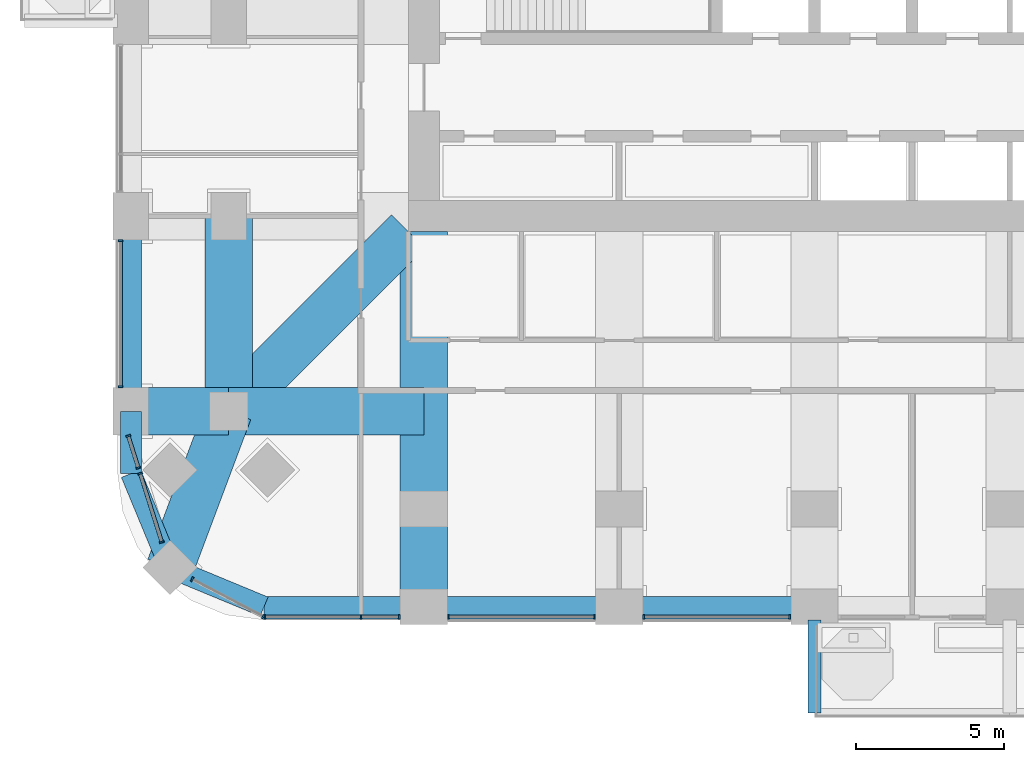
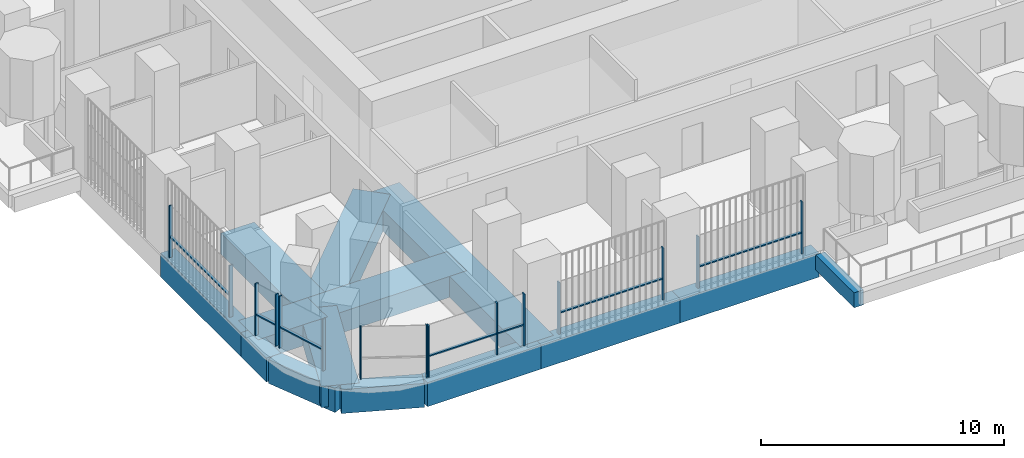
# One storey, part 2 of 22: 22 members, 14 beams, 7 elements without a shape of their own.
"""IFC4 building model written with IfcOpenShell, lengths in metres."""

from ifc_helpers import new_model, si_unit, direction, frame, origin, origin_2d, place, context, subcontext, project, spatial, rectangle, extrude, material, material_profile, profile_set, type_object, element, aggregate, save


model = new_model("IFC4")

# Units and contexts
model_context = context("Model", 3, precision=1e-05, world=origin(), true_north=direction((0.0, 1.0)))
body_context = subcontext(model_context, "Body", "Model", "MODEL_VIEW")
ifc_project = project(units=[si_unit("LENGTHUNIT", "METRE"), si_unit("AREAUNIT", "SQUARE_METRE"), si_unit("VOLUMEUNIT", "CUBIC_METRE"), si_unit("PLANEANGLEUNIT", "RADIAN"), si_unit("MASSUNIT", "GRAM", prefix="KILO")], contexts=[model_context])

# Site, building, storey
site_placement = place(None, origin())
site = spatial("IfcSite", under=ifc_project, at=site_placement, CompositionType="ELEMENT")
building_placement = place(site_placement, origin())
building = spatial("IfcBuilding", under=site, at=building_placement, Name="Cobogo Forest Laboratory Tower", CompositionType="ELEMENT")
storey_placement = place(building_placement, frame((0.0, 0.0, 136.800048828125)))
storey = spatial("IfcBuildingStorey", under=building, at=storey_placement, Name="L31", CompositionType="ELEMENT", Elevation=136.800048828125)

# Beams
ifc_material_1 = material(Name="Concrete HA-40 (C40/50)", Category="concrete")
ifc_material_profile_1 = material_profile(ifc_material_1, rectangle(XDim=0.449951171875, YDim=0.75, at=origin_2d()), Name="RC 450x750")
ifc_profile_set_1 = profile_set([ifc_material_profile_1], Name="Concrete HA-40 (C40/50)")
beam_type_1 = type_object("IfcBeamType", Name="Balcony cantilever beam 450x750", PredefinedType="BEAM", material=ifc_profile_set_1)
beam_1_placement = place(storey_placement, frame((26.39990234375, -0.449951171875, -0.625), z_axis=(0.0, -1.0, 0.0), x_axis=(1.0, 0.0, 0.0)))
element("IfcBeam", 1, at=beam_1_placement, inside=storey, type_object=beam_type_1, Name="CB1 BAL-S1-C1 L31", PredefinedType="BEAM", context=body_context, shape_type="SweptSolid", body=[
    extrude(rectangle(XDim=0.449951171875, YDim=0.75, at=origin_2d()), origin(), (0.0, 0.0, 1.0), 3.150146484375),
])
ifc_material_2 = material(Name="Concrete HA-50 (C50/60)", Category="concrete")
ifc_material_profile_2 = material_profile(ifc_material_2, rectangle(XDim=1.60009765625, YDim=1.050048828125, at=origin_2d()), Name="RC 1600x1050")
ifc_profile_set_2 = profile_set([ifc_material_profile_2], Name="Concrete HA-50 (C50/60)")
beam_type_2 = type_object("IfcBeamType", Name="Laboratory floor wide beam 1600x1050", PredefinedType="BEAM", material=ifc_profile_set_2)
beam_2_placement = place(storey_placement, frame((13.199951171875, 12.675048828125, -0.824951171875), z_axis=(0.0, -1.0, 0.0), x_axis=(1.0, 0.0, 0.0)))
element("IfcBeam", 2, at=beam_2_placement, inside=storey, type_object=beam_type_2, Name="RB8 R-3-S L31", PredefinedType="BEAM", context=body_context, shape_type="SweptSolid", body=[
    extrude(rectangle(XDim=1.60009765625, YDim=1.050048828125, at=origin_2d()), origin(), (0.0, 0.0, 1.0), 12.675048828125),
])
beam_3_placement = place(storey_placement, frame((6.60009765625, 6.60009765625, -0.824951171875), z_axis=(0.0, 1.0, 0.0), x_axis=(-1.0, 0.0, 0.0)))
element("IfcBeam", 3, at=beam_3_placement, inside=storey, type_object=beam_type_2, Name="RB8 G-SW-XC L31", PredefinedType="BEAM", context=body_context, shape_type="SweptSolid", body=[
    extrude(rectangle(XDim=1.60009765625, YDim=1.050048828125, at=origin_2d()), origin(), (0.0, 0.0, 1.0), 6.599853515625),
])
beam_4_placement = place(storey_placement, frame((3.300048828125, 6.60009765625, -0.824951171875), z_axis=(1.0, 0.0, 0.0), x_axis=(0.0, 1.0, 0.0)))
element("IfcBeam", 4, at=beam_4_placement, inside=storey, type_object=beam_type_2, Name="RB8 G-SW-YF L31", PredefinedType="BEAM", context=body_context, shape_type="SweptSolid", body=[
    extrude(rectangle(XDim=1.60009765625, YDim=1.050048828125, at=origin_2d()), origin(), (0.0, 0.0, 1.0), 3.300048828125),
])
beam_5_placement = place(storey_placement, frame((6.60009765625, 6.60009765625, -0.824951171875), z_axis=(1.0, 0.0, 0.0), x_axis=(0.0, 1.0, 0.0)))
element("IfcBeam", 5, at=beam_5_placement, inside=storey, type_object=beam_type_2, Name="RB8 G-SW-YC L31", PredefinedType="BEAM", context=body_context, shape_type="SweptSolid", body=[
    extrude(rectangle(XDim=1.60009765625, YDim=1.050048828125, at=origin_2d()), origin(), (0.0, 0.0, 1.0), 6.599853515625),
])
beam_6_placement = place(storey_placement, frame((4.617919921875, 1.318115234375, -0.824951171875), z_axis=(0.351346325373, 0.936245565889, 0.0), x_axis=(-0.936245565889, 0.351346325373, 0.0)))
element("IfcBeam", 6, at=beam_6_placement, inside=storey, type_object=beam_type_2, Name="RB8 G-SW-D1 L31", PredefinedType="BEAM", context=body_context, shape_type="SweptSolid", body=[
    extrude(rectangle(XDim=1.60009765625, YDim=1.050048828125, at=origin_2d()), origin(), (0.0, 0.0, 1.0), 5.6416015625),
])
beam_7_placement = place(storey_placement, frame((6.60009765625, 6.60009765625, -0.824951171875), z_axis=(0.707106781187, 0.707106781187, 0.0), x_axis=(-0.707106781187, 0.707106781187, 0.0)))
element("IfcBeam", 7, at=beam_7_placement, inside=storey, type_object=beam_type_2, Name="RB8 G-SW-D2 L31", PredefinedType="BEAM", context=body_context, shape_type="SweptSolid", body=[
    extrude(rectangle(XDim=1.60009765625, YDim=1.050048828125, at=origin_2d()), origin(), (0.0, 0.0, 1.0), 8.59130859375),
])

# Curtain wall, members
ifc_material_3 = material(Name="Aluminium curtain wall", Category="aluminium")
curtain_wall_type = type_object("IfcCurtainWallType", Name="CW-1 unitised curtain wall, clear glazing, laboratory floors zones A and B", PredefinedType="USERDEFINED", material=ifc_material_3)
curtain_wall_1_placement = place(storey_placement, origin())
curtain_wall_1 = element("IfcCurtainWall", 8, at=curtain_wall_1_placement, inside=storey, type_object=curtain_wall_type, Name="Curtain wall 01 L31", ObjectType="UNITISED CURTAIN WALL", PredefinedType="USERDEFINED")
ifc_material_4 = material(Name="Aluminium mullion", Category="aluminium")
ifc_material_profile_3 = material_profile(ifc_material_4, rectangle(XDim=0.06005859375, YDim=0.159912109375, at=origin_2d()), Name="AL 60x160")
ifc_profile_set_3 = profile_set([ifc_material_profile_3], Name="Aluminium mullion")
member_type_1 = type_object("IfcMemberType", Name="MU-1 aluminium mullion 60x160", PredefinedType="MULLION", material=ifc_profile_set_3)
member_1_placement = place(storey_placement, frame((7.830078125, -0.35009765625, 0.0), z_axis=(0.0, 0.0, 1.0), x_axis=(1.0, 0.0, 0.0)))
member_1 = element("IfcMember", 9, at=member_1_placement, type_object=member_type_1, Name="CW-1 mullion 1", PredefinedType="MULLION", context=body_context, shape_type="SweptSolid", body=[
    extrude(rectangle(XDim=0.06005859375, YDim=0.159912109375, at=origin_2d()), origin(), (0.0, 0.0, 1.0), 2.599853515625),
])
member_2_placement = place(storey_placement, frame((11.074951171875, -0.35009765625, 0.0), z_axis=(0.0, 0.0, 1.0), x_axis=(1.0, 0.0, 0.0)))
member_2 = element("IfcMember", 10, at=member_2_placement, type_object=member_type_1, Name="CW-1 mullion 2", PredefinedType="MULLION", context=body_context, shape_type="SweptSolid", body=[
    extrude(rectangle(XDim=0.06005859375, YDim=0.159912109375, at=origin_2d()), origin(), (0.0, 0.0, 1.0), 2.599853515625),
])
member_3_placement = place(storey_placement, frame((12.3701171875, -0.35009765625, 0.0), z_axis=(0.0, 0.0, 1.0), x_axis=(1.0, 0.0, 0.0)))
member_3 = element("IfcMember", 11, at=member_3_placement, type_object=member_type_1, Name="CW-1 mullion 3", PredefinedType="MULLION", context=body_context, shape_type="SweptSolid", body=[
    extrude(rectangle(XDim=0.06005859375, YDim=0.159912109375, at=origin_2d()), origin(), (0.0, 0.0, 1.0), 2.599853515625),
])

curtain_wall_2_placement = place(storey_placement, origin())
curtain_wall_2 = element("IfcCurtainWall", 12, at=curtain_wall_2_placement, inside=storey, type_object=curtain_wall_type, Name="Curtain wall 02 L31", ObjectType="UNITISED CURTAIN WALL", PredefinedType="USERDEFINED")
member_4_placement = place(storey_placement, frame((14.030029296875, -0.35009765625, 0.0), z_axis=(0.0, 0.0, 1.0), x_axis=(1.0, 0.0, 0.0)))
member_4 = element("IfcMember", 13, at=member_4_placement, type_object=member_type_1, Name="CW-1 mullion 1", PredefinedType="MULLION", context=body_context, shape_type="SweptSolid", body=[
    extrude(rectangle(XDim=0.06005859375, YDim=0.159912109375, at=origin_2d()), origin(), (0.0, 0.0, 1.0), 2.599853515625),
])
member_5_placement = place(storey_placement, frame((18.969970703125, -0.35009765625, 0.0), z_axis=(0.0, 0.0, 1.0), x_axis=(1.0, 0.0, 0.0)))
member_5 = element("IfcMember", 14, at=member_5_placement, type_object=member_type_1, Name="CW-1 mullion 2", PredefinedType="MULLION", context=body_context, shape_type="SweptSolid", body=[
    extrude(rectangle(XDim=0.06005859375, YDim=0.159912109375, at=origin_2d()), origin(), (0.0, 0.0, 1.0), 2.599853515625),
])

curtain_wall_3_placement = place(storey_placement, origin())
curtain_wall_3 = element("IfcCurtainWall", 15, at=curtain_wall_3_placement, inside=storey, type_object=curtain_wall_type, Name="Curtain wall 03 L31", ObjectType="UNITISED CURTAIN WALL", PredefinedType="USERDEFINED")
member_6_placement = place(storey_placement, frame((20.6298828125, -0.35009765625, 0.0), z_axis=(0.0, 0.0, 1.0), x_axis=(1.0, 0.0, 0.0)))
member_6 = element("IfcMember", 16, at=member_6_placement, type_object=member_type_1, Name="CW-1 mullion 1", PredefinedType="MULLION", context=body_context, shape_type="SweptSolid", body=[
    extrude(rectangle(XDim=0.06005859375, YDim=0.159912109375, at=origin_2d()), origin(), (0.0, 0.0, 1.0), 2.599853515625),
])
member_7_placement = place(storey_placement, frame((25.570068359375, -0.35009765625, 0.0), z_axis=(0.0, 0.0, 1.0), x_axis=(1.0, 0.0, 0.0)))
member_7 = element("IfcMember", 17, at=member_7_placement, type_object=member_type_1, Name="CW-1 mullion 2", PredefinedType="MULLION", context=body_context, shape_type="SweptSolid", body=[
    extrude(rectangle(XDim=0.06005859375, YDim=0.159912109375, at=origin_2d()), origin(), (0.0, 0.0, 1.0), 2.599853515625),
])

curtain_wall_4_placement = place(storey_placement, origin())
curtain_wall_4 = element("IfcCurtainWall", 18, at=curtain_wall_4_placement, inside=storey, type_object=curtain_wall_type, Name="Curtain wall 31 L31", ObjectType="UNITISED CURTAIN WALL", PredefinedType="USERDEFINED")
member_8_placement = place(storey_placement, frame((2.949951171875, 12.3701171875, 0.0), z_axis=(0.0, 0.0, 1.0), x_axis=(0.0, -1.0, 0.0)))
member_8 = element("IfcMember", 19, at=member_8_placement, type_object=member_type_1, Name="CW-1 mullion 1", PredefinedType="MULLION", context=body_context, shape_type="SweptSolid", body=[
    extrude(rectangle(XDim=0.06005859375, YDim=0.159912109375, at=origin_2d()), origin(), (0.0, 0.0, 1.0), 2.599853515625),
])
member_9_placement = place(storey_placement, frame((2.949951171875, 7.429931640625, 0.0), z_axis=(0.0, 0.0, 1.0), x_axis=(0.0, -1.0, 0.0)))
member_9 = element("IfcMember", 20, at=member_9_placement, type_object=member_type_1, Name="CW-1 mullion 2", PredefinedType="MULLION", context=body_context, shape_type="SweptSolid", body=[
    extrude(rectangle(XDim=0.06005859375, YDim=0.159912109375, at=origin_2d()), origin(), (0.0, 0.0, 1.0), 2.599853515625),
])

curtain_wall_5_placement = place(storey_placement, origin())
curtain_wall_5 = element("IfcCurtainWall", 21, at=curtain_wall_5_placement, inside=storey, type_object=curtain_wall_type, Name="Curtain wall 32 L31", ObjectType="UNITISED CURTAIN WALL", PredefinedType="USERDEFINED")
member_10_placement = place(storey_placement, frame((3.211669921875, 5.771484375, 0.0), z_axis=(0.0, 0.0, 1.0), x_axis=(0.301135667865, -0.953581307252, 0.0)))
member_10 = element("IfcMember", 22, at=member_10_placement, type_object=member_type_1, Name="CW-1 mullion 1", PredefinedType="MULLION", context=body_context, shape_type="SweptSolid", body=[
    extrude(rectangle(XDim=0.06005859375, YDim=0.159912109375, at=origin_2d()), origin(), (0.0, 0.0, 1.0), 2.599853515625),
])
member_11_placement = place(storey_placement, frame((3.55224609375, 4.69287109375, 0.0), z_axis=(0.0, 0.0, 1.0), x_axis=(0.301135667865, -0.953581307252, 0.0)))
member_11 = element("IfcMember", 23, at=member_11_placement, type_object=member_type_1, Name="CW-1 mullion 2", PredefinedType="MULLION", context=body_context, shape_type="SweptSolid", body=[
    extrude(rectangle(XDim=0.06005859375, YDim=0.159912109375, at=origin_2d()), origin(), (0.0, 0.0, 1.0), 2.599853515625),
])

curtain_wall_6_placement = place(storey_placement, origin())
curtain_wall_6 = element("IfcCurtainWall", 24, at=curtain_wall_6_placement, inside=storey, type_object=curtain_wall_type, Name="Curtain wall 33 L31", ObjectType="UNITISED CURTAIN WALL", PredefinedType="USERDEFINED")
member_12_placement = place(storey_placement, frame((3.613037109375, 4.500244140625, 0.0), z_axis=(0.0, 0.0, 1.0), x_axis=(0.301135291996, -0.953581425949, 0.0)))
member_12 = element("IfcMember", 25, at=member_12_placement, type_object=member_type_1, Name="CW-1 mullion 1", PredefinedType="MULLION", context=body_context, shape_type="SweptSolid", body=[
    extrude(rectangle(XDim=0.06005859375, YDim=0.159912109375, at=origin_2d()), origin(), (0.0, 0.0, 1.0), 2.599853515625),
])
member_13_placement = place(storey_placement, frame((4.34423828125, 2.18505859375, 0.0), z_axis=(0.0, 0.0, 1.0), x_axis=(0.301135291996, -0.953581425949, 0.0)))
member_13 = element("IfcMember", 26, at=member_13_placement, type_object=member_type_1, Name="CW-1 mullion 2", PredefinedType="MULLION", context=body_context, shape_type="SweptSolid", body=[
    extrude(rectangle(XDim=0.06005859375, YDim=0.159912109375, at=origin_2d()), origin(), (0.0, 0.0, 1.0), 2.599853515625),
])

curtain_wall_7_placement = place(storey_placement, origin())
curtain_wall_7 = element("IfcCurtainWall", 27, at=curtain_wall_7_placement, inside=storey, type_object=curtain_wall_type, Name="Curtain wall 34 L31", ObjectType="UNITISED CURTAIN WALL", PredefinedType="USERDEFINED")
member_14_placement = place(storey_placement, frame((5.368408203125, 0.9248046875, 0.0), z_axis=(0.0, 0.0, 1.0), x_axis=(0.885686547075, -0.464283685186, 0.0)))
member_14 = element("IfcMember", 28, at=member_14_placement, type_object=member_type_1, Name="CW-1 mullion 1", PredefinedType="MULLION", context=body_context, shape_type="SweptSolid", body=[
    extrude(rectangle(XDim=0.06005859375, YDim=0.159912109375, at=origin_2d()), origin(), (0.0, 0.0, 1.0), 2.599853515625),
])
member_15_placement = place(storey_placement, frame((7.7734375, -0.336181640625, 0.0), z_axis=(0.0, 0.0, 1.0), x_axis=(0.885686547075, -0.464283685186, 0.0)))
member_15 = element("IfcMember", 29, at=member_15_placement, type_object=member_type_1, Name="CW-1 mullion 2", PredefinedType="MULLION", context=body_context, shape_type="SweptSolid", body=[
    extrude(rectangle(XDim=0.06005859375, YDim=0.159912109375, at=origin_2d()), origin(), (0.0, 0.0, 1.0), 2.599853515625),
])
aggregate(curtain_wall_7, [member_14, member_15])

# Beams
ifc_material_profile_4 = material_profile(ifc_material_1, rectangle(XDim=0.699951171875, YDim=1.199951171875, at=origin_2d()), Name="RC 700x1200")
ifc_profile_set_4 = profile_set([ifc_material_profile_4], Name="Concrete HA-40 (C40/50)")
beam_type_3 = type_object("IfcBeamType", Name="Perimeter edge beam 700x1200", PredefinedType="BEAM", material=ifc_profile_set_4)
beam_8_placement = place(storey_placement, frame((13.199951171875, 0.0, -0.900146484375), z_axis=(1.0, 0.0, 0.0), x_axis=(0.0, 1.0, 0.0)))
element("IfcBeam", 30, at=beam_8_placement, inside=storey, type_object=beam_type_3, Name="EB1 E-S1 L31", PredefinedType="BEAM", context=body_context, shape_type="SweptSolid", body=[
    extrude(rectangle(XDim=0.699951171875, YDim=1.199951171875, at=origin_2d()), origin(), (0.0, 0.0, 1.0), 6.60009765625),
])
for number, where, z_axis, x_axis, name in (
    (31, (19.800048828125, 0.0, -0.900146484375), (1.0, 0.0, 0.0), (0.0, 1.0, 0.0), "EB1 E-S2 L31"),
    (32, (3.300048828125, 6.60009765625, -0.900146484375), (0.0, 1.0, 0.0), (-1.0, 0.0, 0.0), "EB1 E-W1 L31"),
):
    element("IfcBeam", number, at=place(storey_placement, frame(where, z_axis=z_axis, x_axis=x_axis)), inside=storey, type_object=beam_type_3, Name=name, PredefinedType="BEAM", context=body_context, shape_type="SweptSolid", body=[
        extrude(rectangle(XDim=0.699951171875, YDim=1.199951171875, at=origin_2d()), origin(), (0.0, 0.0, 1.0), 6.599853515625),
    ])
beam_9_placement = place(storey_placement, frame((13.199951171875, 0.0, -0.900146484375), z_axis=(-1.0, 0.0, 0.0), x_axis=(0.0, -1.0, 0.0)))
element("IfcBeam", 33, at=beam_9_placement, inside=storey, type_object=beam_type_3, Name="EB1 E-SWS1 L31", PredefinedType="BEAM", context=body_context, shape_type="SweptSolid", body=[
    extrude(rectangle(XDim=0.699951171875, YDim=1.199951171875, at=origin_2d()), origin(), (0.0, 0.0, 1.0), 5.39990234375),
])
beam_10_placement = place(storey_placement, frame((7.800048828125, 0.0, -0.900146484375), z_axis=(-0.923876013265, 0.382691928466, 0.0), x_axis=(-0.382691928466, -0.923876013265, 0.0)))
element("IfcBeam", 34, at=beam_10_placement, inside=storey, type_object=beam_type_3, Name="EB1 E-SWS2 L31", PredefinedType="BEAM", context=body_context, shape_type="SweptSolid", body=[
    extrude(rectangle(XDim=0.699951171875, YDim=1.199951171875, at=origin_2d()), origin(), (0.0, 0.0, 1.0), 3.4443359375),
])
beam_11_placement = place(storey_placement, frame((3.300048828125, 6.60009765625, -0.900146484375), z_axis=(0.0, -1.0, 0.0), x_axis=(1.0, 0.0, 0.0)))
element("IfcBeam", 35, at=beam_11_placement, inside=storey, type_object=beam_type_3, Name="EB1 E-SWW1 L31", PredefinedType="BEAM", context=body_context, shape_type="SweptSolid", body=[
    extrude(rectangle(XDim=0.699951171875, YDim=1.199951171875, at=origin_2d()), origin(), (0.0, 0.0, 1.0), 2.10009765625),
])
beam_12_placement = place(storey_placement, frame((3.300048828125, 4.5, -0.900146484375), z_axis=(0.382656484822, -0.923890694089, 0.0), x_axis=(0.923890694089, 0.382656484822, 0.0)))
element("IfcBeam", 36, at=beam_12_placement, inside=storey, type_object=beam_type_3, Name="EB1 E-SWW2 L31", PredefinedType="BEAM", context=body_context, shape_type="SweptSolid", body=[
    extrude(rectangle(XDim=0.699951171875, YDim=1.199951171875, at=origin_2d()), origin(), (0.0, 0.0, 1.0), 3.444091796875),
])

# Member
ifc_material_5 = material(Name="Aluminium transom", Category="aluminium")
ifc_material_profile_5 = material_profile(ifc_material_5, rectangle(XDim=0.1201171875, YDim=0.06005859375, at=origin_2d()), Name="AL 60x120")
ifc_profile_set_5 = profile_set([ifc_material_profile_5], Name="Aluminium transom")
member_type_2 = type_object("IfcMemberType", Name="TR-1 aluminium transom 60x120", PredefinedType="USERDEFINED", material=ifc_profile_set_5)
member_16_placement = place(storey_placement, frame((7.860107421875, -0.35009765625, 1.050048828125), z_axis=(1.0, 0.0, 0.0), x_axis=(0.0, 1.0, 0.0)))
member_16 = element("IfcMember", 37, at=member_16_placement, type_object=member_type_2, Name="CW-1 transom 1.1", ObjectType="TRANSOM", PredefinedType="USERDEFINED", context=body_context, shape_type="SweptSolid", body=[
    extrude(rectangle(XDim=0.1201171875, YDim=0.06005859375, at=origin_2d()), origin(), (0.0, 0.0, 1.0), 3.184814453125),
])

member_17_placement = place(storey_placement, frame((11.10498046875, -0.35009765625, 1.050048828125), z_axis=(1.0, 0.0, 0.0), x_axis=(0.0, 1.0, 0.0)))
member_17 = element("IfcMember", 38, at=member_17_placement, type_object=member_type_2, Name="CW-1 transom 2.1", ObjectType="TRANSOM", PredefinedType="USERDEFINED", context=body_context, shape_type="SweptSolid", body=[
    extrude(rectangle(XDim=0.1201171875, YDim=0.06005859375, at=origin_2d()), origin(), (0.0, 0.0, 1.0), 1.235107421875),
])

aggregate(curtain_wall_1, [member_1, member_2, member_3, member_16, member_17])

member_18_placement = place(storey_placement, frame((14.06005859375, -0.35009765625, 1.050048828125), z_axis=(1.0, 0.0, 0.0), x_axis=(0.0, 1.0, 0.0)))
member_18 = element("IfcMember", 39, at=member_18_placement, type_object=member_type_2, Name="CW-1 transom 1.1", ObjectType="TRANSOM", PredefinedType="USERDEFINED", context=body_context, shape_type="SweptSolid", body=[
    extrude(rectangle(XDim=0.1201171875, YDim=0.06005859375, at=origin_2d()), origin(), (0.0, 0.0, 1.0), 4.8798828125),
])

aggregate(curtain_wall_2, [member_4, member_5, member_18])

member_19_placement = place(storey_placement, frame((20.659912109375, -0.35009765625, 1.050048828125), z_axis=(1.0, 0.0, 0.0), x_axis=(0.0, 1.0, 0.0)))
member_19 = element("IfcMember", 40, at=member_19_placement, type_object=member_type_2, Name="CW-1 transom 1.1", ObjectType="TRANSOM", PredefinedType="USERDEFINED", context=body_context, shape_type="SweptSolid", body=[
    extrude(rectangle(XDim=0.1201171875, YDim=0.06005859375, at=origin_2d()), origin(), (0.0, 0.0, 1.0), 4.880126953125),
])

aggregate(curtain_wall_3, [member_6, member_7, member_19])

member_20_placement = place(storey_placement, frame((2.949951171875, 12.340087890625, 1.050048828125), z_axis=(0.0, -1.0, 0.0), x_axis=(1.0, 0.0, 0.0)))
member_20 = element("IfcMember", 41, at=member_20_placement, type_object=member_type_2, Name="CW-1 transom 1.1", ObjectType="TRANSOM", PredefinedType="USERDEFINED", context=body_context, shape_type="SweptSolid", body=[
    extrude(rectangle(XDim=0.1201171875, YDim=0.06005859375, at=origin_2d()), origin(), (0.0, 0.0, 1.0), 4.880126953125),
])

aggregate(curtain_wall_4, [member_8, member_9, member_20])

member_21_placement = place(storey_placement, frame((3.220703125, 5.74267578125, 1.050048828125), z_axis=(0.301207754852, -0.953558539586, 0.0), x_axis=(0.953558539586, 0.301207754852, 0.0)))
member_21 = element("IfcMember", 42, at=member_21_placement, type_object=member_type_2, Name="CW-1 transom 1.1", ObjectType="TRANSOM", PredefinedType="USERDEFINED", context=body_context, shape_type="SweptSolid", body=[
    extrude(rectangle(XDim=0.1201171875, YDim=0.06005859375, at=origin_2d()), origin(), (0.0, 0.0, 1.0), 1.07080078125),
])

aggregate(curtain_wall_5, [member_10, member_11, member_21])

member_22_placement = place(storey_placement, frame((3.6220703125, 4.4716796875, 1.050048828125), z_axis=(0.301156039198, -0.953574873859, 0.0), x_axis=(0.953574873859, 0.301156039198, 0.0)))
member_22 = element("IfcMember", 43, at=member_22_placement, type_object=member_type_2, Name="CW-1 transom 1.1", ObjectType="TRANSOM", PredefinedType="USERDEFINED", context=body_context, shape_type="SweptSolid", body=[
    extrude(rectangle(XDim=0.1201171875, YDim=0.06005859375, at=origin_2d()), origin(), (0.0, 0.0, 1.0), 2.367919921875),
])

aggregate(curtain_wall_6, [member_12, member_13, member_22])

save(model, "model.ifc")
